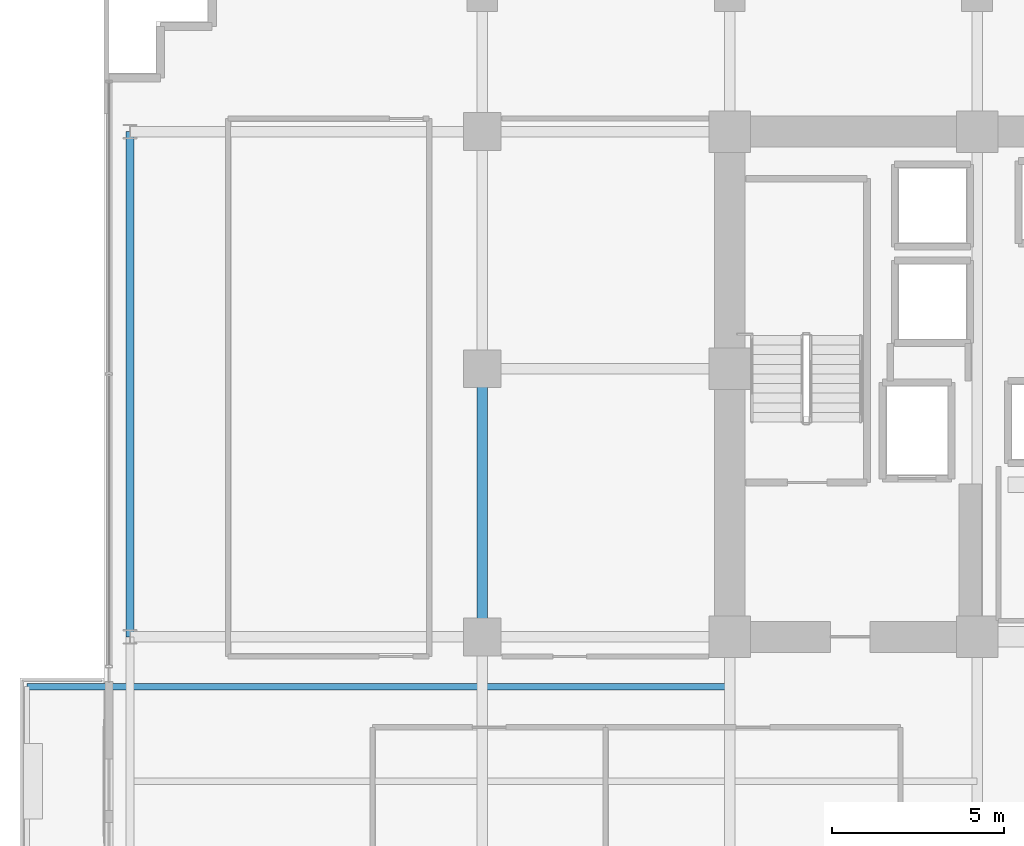
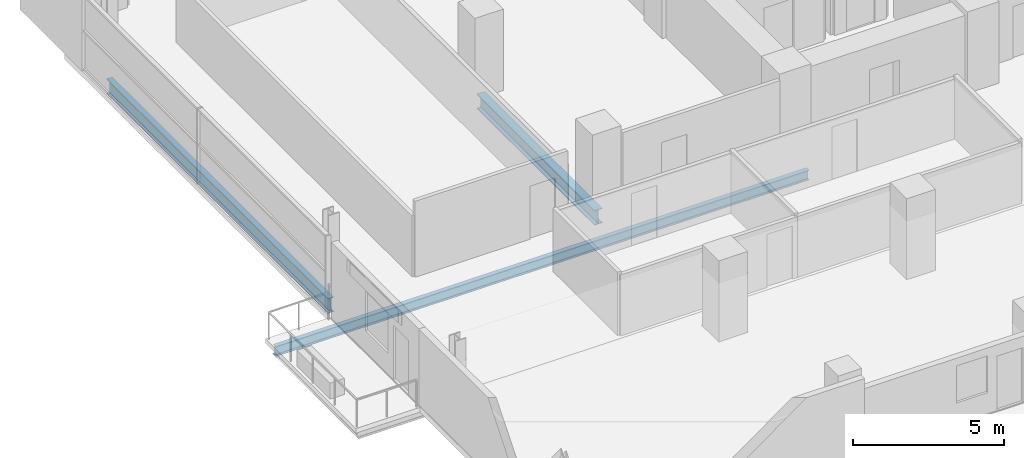
# One storey, part 6 of 31: 3 beams.
"""IFC4 building model written with IfcOpenShell, lengths in metres."""

from ifc_helpers import new_model, si_unit, direction, frame, origin, origin_2d, place, context, subcontext, project, spatial, i_section, extrude, material, material_profile, profile_set, type_object, element, save


model = new_model("IFC4")

# Units and contexts
model_context = context("Model", 3, precision=1e-05, world=origin(), true_north=direction((0.0, 1.0)))
body_context = subcontext(model_context, "Body", "Model", "MODEL_VIEW")
ifc_project = project(units=[si_unit("LENGTHUNIT", "METRE"), si_unit("AREAUNIT", "SQUARE_METRE"), si_unit("VOLUMEUNIT", "CUBIC_METRE"), si_unit("PLANEANGLEUNIT", "RADIAN"), si_unit("MASSUNIT", "GRAM", prefix="KILO")], contexts=[model_context])

# Site, building, storey
site_placement = place(None, origin())
site = spatial("IfcSite", under=ifc_project, at=site_placement, CompositionType="ELEMENT")
building_placement = place(site_placement, origin())
building = spatial("IfcBuilding", under=site, at=building_placement, Name="Zarnakvel Exchange Tower", CompositionType="ELEMENT")
storey_placement = place(building_placement, frame((0.0, 0.0, 47.199951171875)))
storey = spatial("IfcBuildingStorey", under=building, at=storey_placement, Name="L12", CompositionType="ELEMENT", Elevation=47.199951171875)

# Beams
ifc_material = material(Name="Steel S355", Category="steel")
ifc_material_profile_1 = material_profile(ifc_material, i_section(OverallWidth=0.179931640625, OverallDepth=0.39990234375, WebThickness=0.008544921875, FlangeThickness=0.013427734375, FilletRadius=0.02099609375, at=origin_2d()))
ifc_profile_set_1 = profile_set([ifc_material_profile_1], Name="Steel S355")
beam_type_1 = type_object("IfcBeamType", Name="B-06", PredefinedType="JOIST", material=ifc_profile_set_1)
beam_1_placement = place(storey_placement, frame((-14.39990234375, -2.64990234375, -0.425048828125), z_axis=(-1.0, 0.0, 0.0), x_axis=(0.0, -1.0, 0.0)))
element("IfcBeam", 1, at=beam_1_placement, inside=storey, type_object=beam_type_1, Name="L12 Continuous West Loggia Beam N", PredefinedType="JOIST", context=body_context, shape_type="SweptSolid", body=[
    extrude(i_section(OverallWidth=0.179931640625, OverallDepth=0.39990234375, WebThickness=0.008544921875, FlangeThickness=0.013427734375, FilletRadius=0.02099609375, at=origin_2d()), origin(), (0.0, 0.0, 1.0), 20.4501953125),
])
ifc_material_profile_2 = material_profile(ifc_material, i_section(OverallWidth=0.300048828125, OverallDepth=0.60009765625, WebThickness=0.015380859375, FlangeThickness=0.030029296875, FilletRadius=0.027099609375, at=origin_2d()))
ifc_profile_set_2 = profile_set([ifc_material_profile_2], Name="Steel S355")
beam_type_2 = type_object("IfcBeamType", Name="G-04", PredefinedType="BEAM", material=ifc_profile_set_2)
beam_2_placement = place(storey_placement, frame((-21.60009765625, -1.199951171875, -0.52490234375), z_axis=(0.0, 1.0, 0.0), x_axis=(-1.0, 0.0, 0.0)))
element("IfcBeam", 2, at=beam_2_placement, inside=storey, type_object=beam_type_2, Name="L12 Tower N-S Frame Beam", PredefinedType="BEAM", context=body_context, shape_type="SweptSolid", body=[
    extrude(i_section(OverallWidth=0.300048828125, OverallDepth=0.60009765625, WebThickness=0.015380859375, FlangeThickness=0.030029296875, FilletRadius=0.027099609375, at=origin_2d()), origin(), (0.0, 0.0, 1.0), 7.800048828125),
])
ifc_material_profile_3 = material_profile(ifc_material, i_section(OverallWidth=0.219970703125, OverallDepth=0.60009765625, WebThickness=0.011962890625, FlangeThickness=0.01904296875, FilletRadius=0.02392578125, at=origin_2d()))
ifc_profile_set_3 = profile_set([ifc_material_profile_3], Name="Steel S355")
beam_type_3 = type_object("IfcBeamType", Name="SP-01", PredefinedType="SPANDREL", material=ifc_profile_set_3)
beam_3_placement = place(storey_placement, frame((-31.85009765625, -1.199951171875, -0.52490234375), z_axis=(0.0, 1.0, 0.0), x_axis=(-1.0, 0.0, 0.0)))
element("IfcBeam", 3, at=beam_3_placement, inside=storey, type_object=beam_type_3, Name="L12 Tower N-S Frame Beam", PredefinedType="SPANDREL", context=body_context, shape_type="SweptSolid", body=[
    extrude(i_section(OverallWidth=0.219970703125, OverallDepth=0.60009765625, WebThickness=0.011962890625, FlangeThickness=0.01904296875, FilletRadius=0.02392578125, at=origin_2d()), origin(), (0.0, 0.0, 1.0), 14.699951171875),
])

save(model, "model.ifc")
